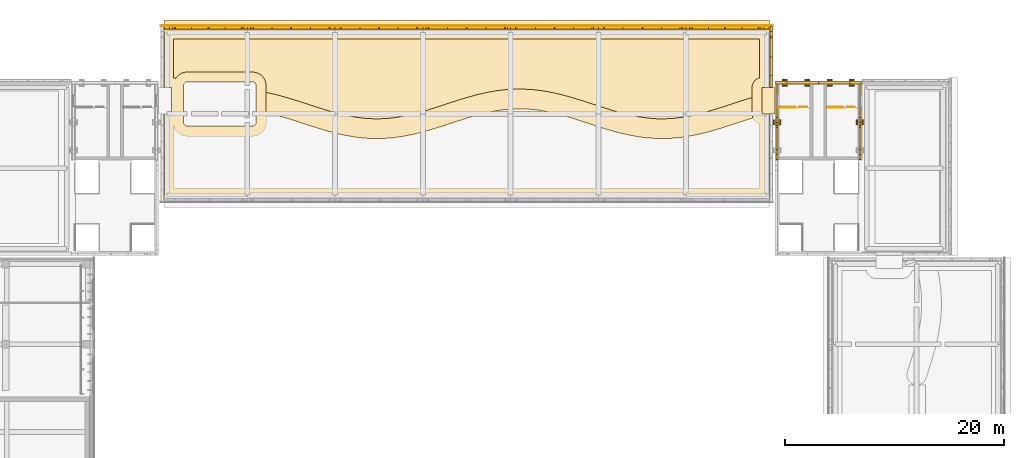
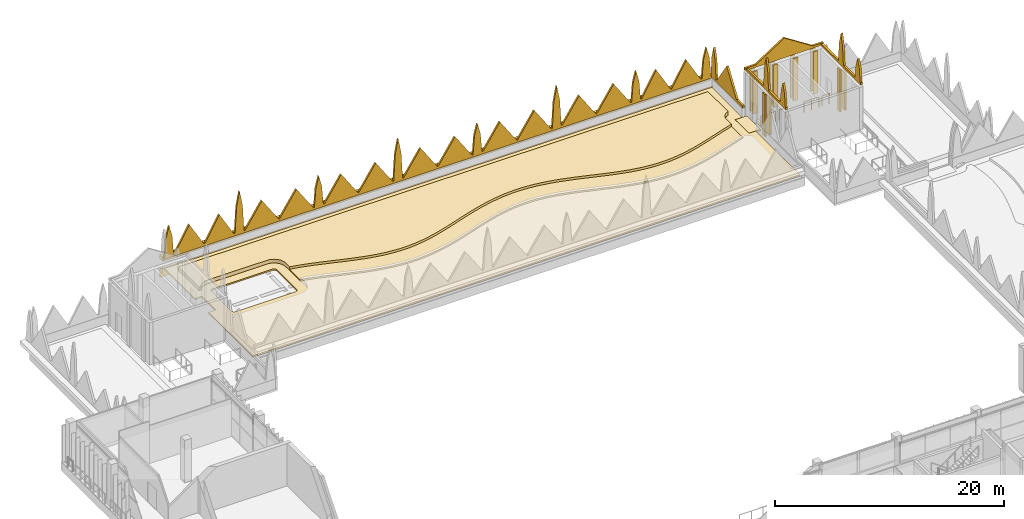
# One storey, part 45 of 46: 23 coverings, 4 railings.
"""IFC4 building model written with IfcOpenShell, lengths in metres."""

from ifc_helpers import new_model, si_unit, direction, frame, frame_2d, origin, origin_2d, place, context, subcontext, project, spatial, polyline, rectangle, circle, outline, extrude, material, layer, layer_set, type_object, element, save


model = new_model("IFC4")

# Units and contexts
model_context = context("Model", 3, precision=1e-05, world=origin(), true_north=direction((0.0, 1.0)))
body_context = subcontext(model_context, "Body", "Model", "MODEL_VIEW")
ifc_project = project(units=[si_unit("LENGTHUNIT", "METRE"), si_unit("AREAUNIT", "SQUARE_METRE"), si_unit("VOLUMEUNIT", "CUBIC_METRE"), si_unit("PLANEANGLEUNIT", "RADIAN"), si_unit("MASSUNIT", "GRAM", prefix="KILO")], contexts=[model_context])

# Site, building, storey
site_placement = place(None, origin())
site = spatial("IfcSite", under=ifc_project, at=site_placement, CompositionType="ELEMENT")
building_placement = place(site_placement, origin())
building = spatial("IfcBuilding", under=site, at=building_placement, Name="Lantern Court Media Centre", CompositionType="ELEMENT")
storey_placement = place(building_placement, frame((0.0, 0.0, 28.800048828125)))
storey = spatial("IfcBuildingStorey", under=building, at=storey_placement, Name="L06", CompositionType="ELEMENT", Elevation=28.800048828125)

# Railings
ifc_material_1 = material(Name="Powder-coated steel", Category="steel")
railing_type_1 = type_object("IfcRailingType", Name="Floor edge guard 1100", PredefinedType="GUARDRAIL", material=ifc_material_1)
railing_1_placement = place(storey_placement, frame((86.646240234375, 109.609619140625, 0.0)))
element("IfcRailing", 1, at=railing_1_placement, inside=storey, type_object=railing_type_1, Name="L06 opening guard 160", PredefinedType="GUARDRAIL", context=body_context, shape_type="SweptSolid", body=[
    extrude(circle(Radius=0.02392578125, at=origin_2d()), frame((0.0, 0.0, 1.076171875), z_axis=(1.0, 0.0, 0.0), x_axis=(0.0, 1.0, 0.0)), (0.0, 0.0, 1.0), 0.703857421875),
    extrude(circle(Radius=0.02099609375, at=origin_2d()), origin(), (0.0, 0.0, 1.0), 1.052001953125),
    extrude(circle(Radius=0.02099609375, at=origin_2d()), frame((0.703857421875, 0.0, 0.0)), (0.0, 0.0, 1.0), 1.052001953125),
])
railing_2_placement = place(storey_placement, frame((82.29638671875, 109.609619140625, 0.0)))
element("IfcRailing", 2, at=railing_2_placement, inside=storey, type_object=railing_type_1, Name="L06 opening guard 161", PredefinedType="GUARDRAIL", context=body_context, shape_type="SweptSolid", body=[
    extrude(circle(Radius=0.02392578125, at=origin_2d()), frame((0.0, 0.0, 1.076171875), z_axis=(1.0, 0.0, 0.0), x_axis=(0.0, 1.0, 0.0)), (0.0, 0.0, 1.0), 0.70361328125),
    extrude(circle(Radius=0.02099609375, at=origin_2d()), origin(), (0.0, 0.0, 1.0), 1.052001953125),
    extrude(circle(Radius=0.02099609375, at=origin_2d()), frame((0.70361328125, 0.0, 0.0)), (0.0, 0.0, 1.0), 1.052001953125),
])

# Coverings
ifc_material_2 = material(Name="White glass-fibre reinforced cement cladding", Category="concrete")
ifc_layer_1 = layer(ifc_material_2, 0.050048828125)
ifc_layer_set_1 = layer_set([ifc_layer_1], Name="White glass-fibre reinforced cement cladding")
covering_type_1 = type_object("IfcCoveringType", Name="Floor-edge band 50", PredefinedType="CLADDING", material=ifc_layer_set_1)
covering_1_placement = place(storey_placement, frame((24.10009765625, 117.02490234375, -0.900146484375), z_axis=(0.0, 0.0, 1.0), x_axis=(1.0, 0.0, 0.0)))
element("IfcCovering", 3, at=covering_1_placement, inside=storey, type_object=covering_type_1, Name="Floor-edge band N outer roof", PredefinedType="CLADDING", context=body_context, shape_type="SweptSolid", body=[
    extrude(rectangle(XDim=55.7998046875, YDim=0.050048828125, at=frame_2d((27.89990234375, 0.0))), origin(), (0.0, 0.0, 1.0), 0.900146484375),
])
ifc_material_3 = material(Name="Honed limestone cladding on blockwork", Category="masonry")
ifc_layer_2 = layer(ifc_material_3, 0.550048828125)
ifc_layer_set_2 = layer_set([ifc_layer_2], Name="Honed limestone cladding on blockwork")
covering_type_2 = type_object("IfcCoveringType", Name="Limestone cornice 550", PredefinedType="CLADDING", material=ifc_layer_set_2)
covering_2_placement = place(storey_placement, frame((24.39990234375, 117.27490234375, 0.699951171875), z_axis=(0.0, 0.0, 1.0), x_axis=(1.0, 0.0, 0.0)))
element("IfcCovering", 4, at=covering_2_placement, inside=storey, type_object=covering_type_2, Name="Attic cornice", PredefinedType="CLADDING", context=body_context, shape_type="SweptSolid", body=[
    extrude(rectangle(XDim=55.2001953125, YDim=0.550048828125, at=frame_2d((27.60009765625, 0.0))), origin(), (0.0, 0.0, 1.0), 0.39990234375),
])
ifc_layer_3 = layer(ifc_material_3, 0.199951171875)
ifc_layer_set_3 = layer_set([ifc_layer_3], Name="Honed limestone cladding on blockwork")
covering_type_3 = type_object("IfcCoveringType", Name="Limestone cresting 200", PredefinedType="CLADDING", material=ifc_layer_set_3)
covering_3_placement = place(storey_placement, frame((79.75, 111.39990234375, 1.099853515625), z_axis=(0.0, 0.0, 1.0), x_axis=(0.0, 1.0, 0.0)))
element("IfcCovering", 5, at=covering_3_placement, inside=storey, type_object=covering_type_3, Name="Parapet cresting", PredefinedType="CLADDING", context=body_context, shape_type="SweptSolid", body=[
    extrude(outline(polyline([(0.0, 0.0), (5.60009765625, 0.0), (5.60009765625, 0.25), (5.550048828125, 0.25), (5.39990234375, 2.210205078125), (5.10009765625, 3.400146484375), (4.800048828125, 2.210205078125), (4.64990234375, 0.25), (4.530029296875, 0.25), (2.800048828125, 2.800048828125), (1.070068359375, 0.25), (0.0, 0.25), (0.0, 0.0)])), frame((0.0, 0.10009765625, 0.0), z_axis=(0.0, -1.0, 0.0), x_axis=(1.0, 0.0, 0.0)), (0.0, 0.0, 1.0), 0.199951171875),
])
covering_4_placement = place(storey_placement, frame((24.39990234375, 116.85009765625, 1.099853515625), z_axis=(0.0, 0.0, 1.0), x_axis=(1.0, 0.0, 0.0)))
element("IfcCovering", 6, at=covering_4_placement, inside=storey, type_object=covering_type_3, Name="Parapet cresting", PredefinedType="CLADDING", context=body_context, shape_type="SweptSolid", body=[
    extrude(outline(polyline([(0.0, 0.0), (55.2001953125, 0.0), (55.199951171875, 0.25), (55.14990234375, 0.25), (55.0, 2.210205078125), (54.699951171875, 3.400146484375), (54.39990234375, 2.210205078125), (54.25, 0.25), (54.1298828125, 0.25), (52.6650390625, 2.800048828125), (51.199951171875, 0.25), (51.10009765625, 0.25), (49.635009765625, 2.800048828125), (48.169921875, 0.25), (48.050048828125, 0.25), (47.89990234375, 2.210205078125), (47.60009765625, 3.400146484375), (47.300048828125, 2.210205078125), (47.14990234375, 0.25), (47.030029296875, 0.25), (45.340087890625, 2.800048828125), (43.64990234375, 0.25), (43.550048828125, 0.25), (41.860107421875, 2.800048828125), (40.169921875, 0.25), (40.050048828125, 0.25), (39.89990234375, 2.983642578125), (39.60009765625, 4.590087890625), (39.300048828125, 2.983642578125), (39.14990234375, 0.25), (39.030029296875, 0.25), (37.340087890625, 2.800048828125), (35.64990234375, 0.25), (35.550048828125, 0.25), (33.860107421875, 2.800048828125), (32.169921875, 0.25), (32.050048828125, 0.25), (31.89990234375, 2.210205078125), (31.60009765625, 3.400146484375), (31.300048828125, 2.210205078125), (31.14990234375, 0.25), (31.030029296875, 0.25), (29.340087890625, 2.800048828125), (27.64990234375, 0.25), (27.550048828125, 0.25), (25.860107421875, 2.800048828125), (24.169921875, 0.25), (24.050048828125, 0.25), (23.89990234375, 2.983642578125), (23.60009765625, 4.590087890625), (23.300048828125, 2.983642578125), (23.14990234375, 0.25), (23.030029296875, 0.25), (21.340087890625, 2.800048828125), (19.64990234375, 0.25), (19.550048828125, 0.25), (17.860107421875, 2.800048828125), (16.169921875, 0.25), (16.050048828125, 0.25), (15.89990234375, 2.210205078125), (15.60009765625, 3.400146484375), (15.300048828125, 2.210205078125), (15.14990234375, 0.25), (15.030029296875, 0.25), (13.340087890625, 2.800048828125), (11.64990234375, 0.25), (11.550048828125, 0.25), (9.860107421875, 2.800048828125), (8.169921875, 0.25), (8.050048828125, 0.25), (7.89990234375, 2.983642578125), (7.60009765625, 4.590087890625), (7.300048828125, 2.983642578125), (7.14990234375, 0.25), (7.030029296875, 0.25), (5.56494140625, 2.800048828125), (4.10009765625, 0.25), (4.0, 0.25), (2.534912109375, 2.800048828125), (1.070068359375, 0.25), (0.949951171875, 0.25), (0.800048828125, 2.210205078125), (0.5, 3.400146484375), (0.199951171875, 2.210205078125), (0.050048828125, 0.25), (0.0, 0.25), (0.0, 0.0)])), frame((0.0, 0.10009765625, 0.0), z_axis=(0.0, -1.0, 0.0), x_axis=(1.0, 0.0, 0.0)), (0.0, 0.0, 1.0), 0.199951171875),
])
covering_5_placement = place(storey_placement, frame((88.0, 111.824951171875, 4.75), z_axis=(0.0, 0.0, 1.0), x_axis=(-1.0, 0.0, 0.0)))
element("IfcCovering", 7, at=covering_5_placement, inside=storey, type_object=covering_type_3, Name="Roof box cresting", PredefinedType="CLADDING", context=body_context, shape_type="SweptSolid", body=[
    extrude(outline(polyline([(0.0, 0.0), (7.89990234375, 0.0), (7.89990234375, 0.25), (6.830078125, 0.25), (3.949951171875, 2.099853515625), (1.070068359375, 0.25), (0.0, 0.25), (0.0, 0.0)])), frame((0.0, 0.10009765625, 0.0), z_axis=(0.0, -1.0, 0.0), x_axis=(1.0, 0.0, 0.0)), (0.0, 0.0, 1.0), 0.199951171875),
])
for number, where, z_axis, x_axis, name in (
    (8, (87.824951171875, 111.64990234375, 4.75), (0.0, 0.0, 1.0), (0.0, -1.0, 0.0), "Roof box cresting"),
    (9, (80.27490234375, 111.64990234375, 4.75), (0.0, 0.0, 1.0), (0.0, -1.0, 0.0), "Roof box cresting"),
):
    element("IfcCovering", number, at=place(storey_placement, frame(where, z_axis=z_axis, x_axis=x_axis)), inside=storey, type_object=covering_type_3, Name=name, PredefinedType="CLADDING", context=body_context, shape_type="SweptSolid", body=[
        extrude(outline(polyline([(0.0, 0.0), (6.849853515625, 0.0), (6.85009765625, 0.25), (6.800048828125, 0.25), (6.64990234375, 1.657470703125), (6.35009765625, 2.550048828125), (6.050048828125, 1.657470703125), (5.89990234375, 0.25), (3.875, 0.25), (3.72509765625, 2.237548828125), (3.425048828125, 3.4423828125), (3.125, 2.237548828125), (2.97509765625, 0.25), (0.0, 0.25), (0.0, 0.0)])), frame((0.0, 0.10009765625, 0.0), z_axis=(0.0, -1.0, 0.0), x_axis=(1.0, 0.0, 0.0)), (0.0, 0.0, 1.0), 0.199951171875),
    ])
ifc_material_4 = material(Name="Honed limestone cladding", Category="masonry")
ifc_layer_4 = layer(ifc_material_4, 0.14990234375)
ifc_layer_set_4 = layer_set([ifc_layer_4], Name="Honed limestone cladding")
covering_type_4 = type_object("IfcCoveringType", Name="Limestone pilaster cladding 150", PredefinedType="CLADDING", material=ifc_layer_set_4)
covering_6_placement = place(storey_placement, frame((87.324951171875, 111.574951171875, 0.0), z_axis=(0.0, 0.0, 1.0), x_axis=(-1.0, 0.0, 0.0)))
element("IfcCovering", 10, at=covering_6_placement, inside=storey, type_object=covering_type_4, Name="Limestone pilaster rib", PredefinedType="CLADDING", context=body_context, shape_type="SweptSolid", body=[
    extrude(rectangle(XDim=0.449951171875, YDim=0.14990234375, at=frame_2d((0.22509765625, 0.0))), origin(), (0.0, 0.0, 1.0), 4.5),
])
covering_7_placement = place(storey_placement, frame((85.291748046875, 111.574951171875, 0.0), z_axis=(0.0, 0.0, 1.0), x_axis=(-1.0, 0.0, 0.0)))
element("IfcCovering", 11, at=covering_7_placement, inside=storey, type_object=covering_type_4, Name="Limestone pilaster rib", PredefinedType="CLADDING", context=body_context, shape_type="SweptSolid", body=[
    extrude(rectangle(XDim=0.4501953125, YDim=0.14990234375, at=frame_2d((0.22509765625, 0.0))), origin(), (0.0, 0.0, 1.0), 4.5),
])
covering_8_placement = place(storey_placement, frame((83.25830078125, 111.574951171875, 0.0), z_axis=(0.0, 0.0, 1.0), x_axis=(-1.0, 0.0, 0.0)))
element("IfcCovering", 12, at=covering_8_placement, inside=storey, type_object=covering_type_4, Name="Limestone pilaster rib", PredefinedType="CLADDING", context=body_context, shape_type="SweptSolid", body=[
    extrude(rectangle(XDim=0.449951171875, YDim=0.14990234375, at=frame_2d((0.22509765625, 0.0))), origin(), (0.0, 0.0, 1.0), 4.5),
])
covering_9_placement = place(storey_placement, frame((81.22509765625, 111.574951171875, 0.0), z_axis=(0.0, 0.0, 1.0), x_axis=(-1.0, 0.0, 0.0)))
element("IfcCovering", 13, at=covering_9_placement, inside=storey, type_object=covering_type_4, Name="Limestone pilaster rib", PredefinedType="CLADDING", context=body_context, shape_type="SweptSolid", body=[
    extrude(rectangle(XDim=0.4501953125, YDim=0.14990234375, at=frame_2d((0.22509765625, 0.0))), origin(), (0.0, 0.0, 1.0), 4.5),
])
covering_10_placement = place(storey_placement, frame((87.324951171875, 112.074951171875, 0.0), z_axis=(0.0, 0.0, 1.0), x_axis=(-1.0, 0.0, 0.0)))
element("IfcCovering", 14, at=covering_10_placement, inside=storey, type_object=covering_type_4, Name="Limestone pilaster rib", PredefinedType="CLADDING", context=body_context, shape_type="SweptSolid", body=[
    extrude(rectangle(XDim=0.449951171875, YDim=0.14990234375, at=frame_2d((0.22509765625, 0.0))), origin(), (0.0, 0.0, 1.0), 4.5),
])
covering_11_placement = place(storey_placement, frame((85.291748046875, 112.074951171875, 0.0), z_axis=(0.0, 0.0, 1.0), x_axis=(-1.0, 0.0, 0.0)))
element("IfcCovering", 15, at=covering_11_placement, inside=storey, type_object=covering_type_4, Name="Limestone pilaster rib", PredefinedType="CLADDING", context=body_context, shape_type="SweptSolid", body=[
    extrude(rectangle(XDim=0.4501953125, YDim=0.14990234375, at=frame_2d((0.22509765625, 0.0))), origin(), (0.0, 0.0, 1.0), 4.5),
])
covering_12_placement = place(storey_placement, frame((83.25830078125, 112.074951171875, 0.0), z_axis=(0.0, 0.0, 1.0), x_axis=(-1.0, 0.0, 0.0)))
element("IfcCovering", 16, at=covering_12_placement, inside=storey, type_object=covering_type_4, Name="Limestone pilaster rib", PredefinedType="CLADDING", context=body_context, shape_type="SweptSolid", body=[
    extrude(rectangle(XDim=0.449951171875, YDim=0.14990234375, at=frame_2d((0.22509765625, 0.0))), origin(), (0.0, 0.0, 1.0), 4.5),
])
covering_13_placement = place(storey_placement, frame((81.22509765625, 112.074951171875, 0.0), z_axis=(0.0, 0.0, 1.0), x_axis=(-1.0, 0.0, 0.0)))
element("IfcCovering", 17, at=covering_13_placement, inside=storey, type_object=covering_type_4, Name="Limestone pilaster rib", PredefinedType="CLADDING", context=body_context, shape_type="SweptSolid", body=[
    extrude(rectangle(XDim=0.4501953125, YDim=0.14990234375, at=frame_2d((0.22509765625, 0.0))), origin(), (0.0, 0.0, 1.0), 4.5),
])
for number, where, z_axis, x_axis, name in (
    (18, (88.074951171875, 108.449951171875, 0.0), (0.0, 0.0, 1.0), (0.0, -1.0, 0.0), "Limestone pilaster rib"),
    (19, (87.574951171875, 108.449951171875, 0.0), (0.0, 0.0, 1.0), (0.0, -1.0, 0.0), "Limestone pilaster rib"),
    (20, (80.52490234375, 108.449951171875, 0.0), (0.0, 0.0, 1.0), (0.0, -1.0, 0.0), "Limestone pilaster rib"),
    (21, (80.02490234375, 108.449951171875, 0.0), (0.0, 0.0, 1.0), (0.0, -1.0, 0.0), "Limestone pilaster rib"),
):
    element("IfcCovering", number, at=place(storey_placement, frame(where, z_axis=z_axis, x_axis=x_axis)), inside=storey, type_object=covering_type_4, Name=name, PredefinedType="CLADDING", context=body_context, shape_type="SweptSolid", body=[
        extrude(rectangle(XDim=0.449951171875, YDim=0.14990234375, at=frame_2d((0.22509765625, 0.0))), origin(), (0.0, 0.0, 1.0), 4.5),
    ])
ifc_material_5 = material(Name="Planting substrate")
ifc_layer_5 = layer(ifc_material_5, 0.39990234375)
ifc_layer_set_5 = layer_set([ifc_layer_5], Name="Planting substrate")
covering_type_5 = type_object("IfcCoveringType", Name="Planted roof garden build-up 400", PredefinedType="ROOFING", material=ifc_layer_set_5)
covering_14_placement = place(storey_placement, frame((0.0, 0.0, 0.14990234375)))
element("IfcCovering", 22, at=covering_14_placement, inside=storey, type_object=covering_type_5, Name="Planted roof garden N", PredefinedType="ROOFING", context=body_context, shape_type="SweptSolid", body=[
    extrude(outline(polyline([(25.361083984375, 112.260986328125), (25.300048828125, 112.277099609375), (25.300048828125, 115.800048828125), (78.699951171875, 115.800048828125), (78.699951171875, 112.277099609375), (78.638916015625, 112.260986328125), (78.555908203125, 112.23095703125), (78.47607421875, 112.194091796875), (78.39990234375, 112.14794921875), (78.3291015625, 112.095947265625), (78.263916015625, 112.035888671875), (78.2041015625, 111.970947265625), (78.152099609375, 111.89990234375), (78.10595703125, 111.823974609375), (78.069091796875, 111.743896484375), (78.0390625, 111.660888671875), (78.01708984375, 111.575927734375), (78.00390625, 111.488037109375), (78.0, 111.39990234375), (78.0, 110.47998046875), (77.84912109375, 110.43701171875), (77.827880859375, 110.430908203125), (77.02490234375, 110.181884765625), (77.012939453125, 110.178955078125), (76.2099609375, 109.91796875), (76.2080078125, 109.9169921875), (75.408935546875, 109.655029296875), (74.617919921875, 109.403076171875), (73.8369140625, 109.1708984375), (73.06396484375, 108.967041015625), (72.300048828125, 108.798095703125), (71.5439453125, 108.66796875), (70.79296875, 108.58203125), (70.0458984375, 108.54296875), (69.300048828125, 108.551025390625), (68.552001953125, 108.60595703125), (67.800048828125, 108.70703125), (67.041015625, 108.85107421875), (66.27490234375, 109.032958984375), (65.4990234375, 109.2470703125), (64.715087890625, 109.487060546875), (63.9208984375, 109.743896484375), (63.1201171875, 110.006103515625), (63.114013671875, 110.008056640625), (62.31103515625, 110.26611328125), (62.2958984375, 110.27099609375), (61.492919921875, 110.512939453125), (61.468994140625, 110.52001953125), (60.666015625, 110.738037109375), (60.633056640625, 110.74609375), (59.830078125, 110.931884765625), (59.7880859375, 110.93994140625), (58.985107421875, 111.0859375), (58.93701171875, 111.093017578125), (58.134033203125, 111.194091796875), (58.080078125, 111.198974609375), (57.277099609375, 111.2509765625), (57.219970703125, 111.2529296875), (56.4169921875, 111.25390625), (56.360107421875, 111.251953125), (55.556884765625, 111.202880859375), (55.5029296875, 111.197998046875), (54.699951171875, 111.09912109375), (54.65087890625, 111.092041015625), (53.847900390625, 110.947998046875), (53.805908203125, 110.93896484375), (53.00390625, 110.7548828125), (52.969970703125, 110.7470703125), (52.1669921875, 110.530029296875), (52.14208984375, 110.52294921875), (51.339111328125, 110.281982421875), (51.323974609375, 110.277099609375), (50.52099609375, 110.02001953125), (50.514892578125, 110.01806640625), (49.714111328125, 109.7548828125), (48.919921875, 109.498046875), (48.134033203125, 109.257080078125), (47.35888671875, 109.0419921875), (46.592041015625, 108.85791015625), (45.8330078125, 108.712890625), (45.080078125, 108.610107421875), (44.33203125, 108.552978515625), (43.5859375, 108.5419921875), (42.839111328125, 108.580078125), (42.089111328125, 108.6630859375), (41.3330078125, 108.791015625), (40.569091796875, 108.958984375), (39.797119140625, 109.162109375), (39.01611328125, 109.39306640625), (38.22607421875, 109.64404296875), (37.427001953125, 109.906005859375), (37.425048828125, 109.906005859375), (36.6220703125, 110.1669921875), (36.610107421875, 110.1708984375), (35.80810546875, 110.419921875), (35.787109375, 110.427001953125), (34.98388671875, 110.655029296875), (34.9541015625, 110.6630859375), (34.15087890625, 110.862060546875), (34.112060546875, 110.8701171875), (33.699951171875, 110.952880859375), (33.699951171875, 111.60009765625), (33.698974609375, 111.64404296875), (33.697021484375, 111.674072265625), (33.68896484375, 111.760986328125), (33.68408203125, 111.791015625), (33.6669921875, 111.876953125), (33.659912109375, 111.906005859375), (33.634033203125, 111.989990234375), (33.625, 112.01806640625), (33.591064453125, 112.10009765625), (33.577880859375, 112.1259765625), (33.537109375, 112.2041015625), (33.52099609375, 112.22900390625), (33.471923828125, 112.302978515625), (33.455078125, 112.325927734375), (33.39892578125, 112.39501953125), (33.37890625, 112.4169921875), (33.31689453125, 112.47900390625), (33.294921875, 112.4990234375), (33.22607421875, 112.554931640625), (33.202880859375, 112.572021484375), (33.12890625, 112.62109375), (33.10400390625, 112.636962890625), (33.02587890625, 112.677978515625), (33.0, 112.69091796875), (32.91796875, 112.72509765625), (32.889892578125, 112.73388671875), (32.805908203125, 112.760009765625), (32.777099609375, 112.76708984375), (32.69091796875, 112.783935546875), (32.660888671875, 112.7890625), (32.573974609375, 112.797119140625), (32.5439453125, 112.799072265625), (32.5, 112.800048828125), (26.5, 112.800048828125), (26.4560546875, 112.799072265625), (26.426025390625, 112.797119140625), (26.339111328125, 112.7890625), (26.30908203125, 112.783935546875), (26.222900390625, 112.76708984375), (26.194091796875, 112.760009765625), (26.110107421875, 112.73388671875), (26.08203125, 112.72509765625), (26.0, 112.69091796875), (25.97412109375, 112.677978515625), (25.89599609375, 112.636962890625), (25.87109375, 112.62109375), (25.797119140625, 112.572021484375), (25.77392578125, 112.554931640625), (25.705078125, 112.4990234375), (25.68310546875, 112.47900390625), (25.62109375, 112.4169921875), (25.60107421875, 112.39501953125), (25.544921875, 112.325927734375), (25.528076171875, 112.302978515625), (25.470947265625, 112.218994140625), (25.444091796875, 112.23095703125), (25.361083984375, 112.260986328125)])), origin(), (0.0, 0.0, 1.0), 0.400146484375),
])
ifc_material_6 = material(Name="Limestone paving slab", Category="masonry")
ifc_layer_6 = layer(ifc_material_6, 0.14990234375)
ifc_layer_set_6 = layer_set([ifc_layer_6], Name="Limestone paving slab")
covering_type_6 = type_object("IfcCoveringType", Name="Roof walkway pavers 150", PredefinedType="FLOORING", material=ifc_layer_set_6)
covering_15_placement = place(storey_placement, frame((0.0, 0.0, 0.14990234375)))
element("IfcCovering", 23, at=covering_15_placement, inside=storey, type_object=covering_type_6, Name="Roof garden path N", PredefinedType="FLOORING", context=body_context, shape_type="SweptSolid", body=[
    extrude(outline(polyline([(34.15087890625, 110.862060546875), (34.9541015625, 110.6630859375), (34.98388671875, 110.655029296875), (35.787109375, 110.427001953125), (35.80810546875, 110.419921875), (36.610107421875, 110.1708984375), (36.6220703125, 110.1669921875), (37.425048828125, 109.906005859375), (37.427001953125, 109.906005859375), (38.22607421875, 109.64404296875), (39.01611328125, 109.39306640625), (39.797119140625, 109.162109375), (40.569091796875, 108.958984375), (41.3330078125, 108.791015625), (42.089111328125, 108.6630859375), (42.839111328125, 108.580078125), (43.5859375, 108.5419921875), (44.33203125, 108.552978515625), (45.080078125, 108.610107421875), (45.8330078125, 108.712890625), (46.592041015625, 108.85791015625), (47.35888671875, 109.0419921875), (48.134033203125, 109.257080078125), (48.919921875, 109.498046875), (49.714111328125, 109.7548828125), (50.514892578125, 110.01806640625), (50.52099609375, 110.02001953125), (51.323974609375, 110.277099609375), (51.339111328125, 110.281982421875), (52.14208984375, 110.52294921875), (52.1669921875, 110.530029296875), (52.969970703125, 110.7470703125), (53.00390625, 110.7548828125), (53.805908203125, 110.93896484375), (53.847900390625, 110.947998046875), (54.65087890625, 111.092041015625), (54.699951171875, 111.09912109375), (55.5029296875, 111.197998046875), (55.556884765625, 111.202880859375), (56.360107421875, 111.251953125), (56.4169921875, 111.25390625), (57.219970703125, 111.2529296875), (57.277099609375, 111.2509765625), (58.080078125, 111.198974609375), (58.134033203125, 111.194091796875), (58.93701171875, 111.093017578125), (58.985107421875, 111.0859375), (59.7880859375, 110.93994140625), (59.830078125, 110.931884765625), (60.633056640625, 110.74609375), (60.666015625, 110.738037109375), (61.468994140625, 110.52001953125), (61.492919921875, 110.512939453125), (62.2958984375, 110.27099609375), (62.31103515625, 110.26611328125), (63.114013671875, 110.008056640625), (63.1201171875, 110.006103515625), (63.9208984375, 109.743896484375), (64.715087890625, 109.487060546875), (65.4990234375, 109.2470703125), (66.27490234375, 109.032958984375), (67.041015625, 108.85107421875), (67.800048828125, 108.70703125), (68.552001953125, 108.60595703125), (69.300048828125, 108.551025390625), (70.0458984375, 108.54296875), (70.79296875, 108.58203125), (71.5439453125, 108.66796875), (72.300048828125, 108.798095703125), (73.06396484375, 108.967041015625), (73.8369140625, 109.1708984375), (74.617919921875, 109.403076171875), (75.408935546875, 109.655029296875), (76.2080078125, 109.9169921875), (76.2099609375, 109.91796875), (77.012939453125, 110.178955078125), (77.02490234375, 110.181884765625), (77.827880859375, 110.430908203125), (77.84912109375, 110.43701171875), (78.0, 110.47998046875), (78.0, 109.0), (78.00390625, 108.912109375), (78.01708984375, 108.823974609375), (78.0390625, 108.739013671875), (78.069091796875, 108.656005859375), (78.0830078125, 108.6259765625), (77.56298828125, 108.465087890625), (76.76806640625, 108.2060546875), (75.966064453125, 107.944091796875), (75.9580078125, 107.94091796875), (75.156005859375, 107.68603515625), (75.138916015625, 107.679931640625), (74.3359375, 107.44189453125), (74.31005859375, 107.43505859375), (73.507080078125, 107.221923828125), (73.471923828125, 107.214111328125), (72.6689453125, 107.035888671875), (72.6259765625, 107.027099609375), (71.822998046875, 106.889892578125), (71.77294921875, 106.882080078125), (70.969970703125, 106.791015625), (70.9150390625, 106.785888671875), (70.113037109375, 106.743896484375), (70.054931640625, 106.742919921875), (69.2529296875, 106.751953125), (69.196044921875, 106.75390625), (68.39306640625, 106.81298828125), (68.340087890625, 106.819091796875), (67.537109375, 106.926025390625), (67.489013671875, 106.93408203125), (66.68603515625, 107.0859375), (66.64599609375, 107.094970703125), (65.843017578125, 107.284912109375), (65.81103515625, 107.2939453125), (65.008056640625, 107.51611328125), (64.985107421875, 107.52197265625), (64.181884765625, 107.76806640625), (64.16796875, 107.77197265625), (63.365966796875, 108.031005859375), (63.361083984375, 108.032958984375), (62.56103515625, 108.294921875), (61.76904296875, 108.550048828125), (60.985107421875, 108.785888671875), (60.2109375, 108.99609375), (59.446044921875, 109.173095703125), (58.68798828125, 109.31103515625), (57.93701171875, 109.405029296875), (57.18896484375, 109.452880859375), (56.443115234375, 109.4541015625), (55.696044921875, 109.407958984375), (54.945068359375, 109.31591796875), (54.18701171875, 109.179931640625), (53.422119140625, 109.0048828125), (52.64794921875, 108.7958984375), (51.865966796875, 108.56005859375), (51.072998046875, 108.305908203125), (50.27294921875, 108.0439453125), (50.27001953125, 108.04296875), (49.467041015625, 107.782958984375), (49.4541015625, 107.779052734375), (48.65087890625, 107.532958984375), (48.6279296875, 107.52587890625), (47.824951171875, 107.302978515625), (47.7939453125, 107.294921875), (46.990966796875, 107.10302734375), (46.949951171875, 107.093994140625), (46.14794921875, 106.93994140625), (46.10009765625, 106.931884765625), (45.297119140625, 106.822998046875), (45.243896484375, 106.81689453125), (44.44091796875, 106.756103515625), (44.385009765625, 106.7529296875), (43.58203125, 106.741943359375), (43.52490234375, 106.742919921875), (42.721923828125, 106.782958984375), (42.6669921875, 106.7880859375), (41.864013671875, 106.876953125), (41.81396484375, 106.884033203125), (41.010986328125, 107.02001953125), (40.967041015625, 107.028076171875), (40.1650390625, 107.205078125), (40.12890625, 107.214111328125), (39.325927734375, 107.425048828125), (39.300048828125, 107.431884765625), (38.4970703125, 107.6689453125), (38.47998046875, 107.675048828125), (37.677001953125, 107.929931640625), (37.6689453125, 107.931884765625), (36.866943359375, 108.195068359375), (36.071044921875, 108.4541015625), (35.283935546875, 108.697998046875), (34.506103515625, 108.9189453125), (33.738037109375, 109.110107421875), (33.699951171875, 109.116943359375), (33.699951171875, 110.952880859375), (34.112060546875, 110.8701171875), (34.15087890625, 110.862060546875)])), origin(), (0.0, 0.0, 1.0), 0.150146484375),
])
covering_16_placement = place(storey_placement, origin())
element("IfcCovering", 24, at=covering_16_placement, inside=storey, type_object=covering_type_6, Name="Roof walkway N-NE", PredefinedType="FLOORING", context=body_context, shape_type="SweptSolid", body=[
    extrude(outline(polyline([(78.89990234375, 109.0), (78.89990234375, 111.39990234375), (80.10009765625, 111.39990234375), (80.10009765625, 109.0), (78.89990234375, 109.0)])), origin(), (0.0, 0.0, 1.0), 0.14990234375),
])
ifc_material_7 = material(Name="Bituminous waterproofing membrane with insulation")
ifc_layer_7 = layer(ifc_material_7, 0.14990234375)
ifc_layer_set_7 = layer_set([ifc_layer_7], Name="Bituminous waterproofing membrane with insulation")
covering_type_7 = type_object("IfcCoveringType", Name="Roof waterproofing and insulation 150", PredefinedType="ROOFING", material=ifc_layer_set_7)
covering_17_placement = place(storey_placement, origin())
element("IfcCovering", 25, at=covering_17_placement, inside=storey, type_object=covering_type_7, Name="Roof waterproofing N", PredefinedType="ROOFING", context=body_context, shape_type="SweptSolid", body=[
    extrude(outline(polyline([(25.10009765625, 109.0), (25.10009765625, 111.39990234375), (24.39990234375, 111.39990234375), (24.39990234375, 116.699951171875), (79.60009765625, 116.699951171875), (79.60009765625, 111.39990234375), (78.89990234375, 111.39990234375), (78.89990234375, 109.0), (79.60009765625, 109.0), (79.60009765625, 101.300048828125), (24.39990234375, 101.300048828125), (24.39990234375, 109.0), (25.10009765625, 109.0)]), holes=[polyline([(32.5869140625, 107.9130859375), (32.614990234375, 107.923095703125), (32.64111328125, 107.93505859375), (32.6669921875, 107.950927734375), (32.68994140625, 107.968017578125), (32.7119140625, 107.988037109375), (32.73193359375, 108.010009765625), (32.7490234375, 108.032958984375), (32.764892578125, 108.05908203125), (32.777099609375, 108.0849609375), (32.787109375, 108.113037109375), (32.7939453125, 108.14111328125), (32.799072265625, 108.1708984375), (32.800048828125, 108.199951171875), (32.800048828125, 111.60009765625), (32.799072265625, 111.62890625), (32.7939453125, 111.658935546875), (32.787109375, 111.68701171875), (32.777099609375, 111.715087890625), (32.764892578125, 111.740966796875), (32.7490234375, 111.76708984375), (32.73193359375, 111.7900390625), (32.7119140625, 111.81201171875), (32.68994140625, 111.83203125), (32.6669921875, 111.84912109375), (32.64111328125, 111.864990234375), (32.614990234375, 111.876953125), (32.5869140625, 111.886962890625), (32.55908203125, 111.89404296875), (32.529052734375, 111.89892578125), (32.5, 111.89990234375), (26.5, 111.89990234375), (26.470947265625, 111.89892578125), (26.44091796875, 111.89404296875), (26.4130859375, 111.886962890625), (26.385009765625, 111.876953125), (26.35888671875, 111.864990234375), (26.3330078125, 111.84912109375), (26.31005859375, 111.83203125), (26.2880859375, 111.81201171875), (26.26806640625, 111.7900390625), (26.2509765625, 111.76708984375), (26.235107421875, 111.740966796875), (26.222900390625, 111.715087890625), (26.212890625, 111.68701171875), (26.2060546875, 111.658935546875), (26.200927734375, 111.62890625), (26.199951171875, 111.60009765625), (26.199951171875, 108.199951171875), (26.200927734375, 108.1708984375), (26.2060546875, 108.14111328125), (26.212890625, 108.113037109375), (26.222900390625, 108.0849609375), (26.235107421875, 108.05908203125), (26.2509765625, 108.032958984375), (26.26806640625, 108.010009765625), (26.2880859375, 107.988037109375), (26.31005859375, 107.968017578125), (26.3330078125, 107.950927734375), (26.35888671875, 107.93505859375), (26.385009765625, 107.923095703125), (26.4130859375, 107.9130859375), (26.44091796875, 107.906005859375), (26.470947265625, 107.90087890625), (26.5, 107.89990234375), (32.5, 107.89990234375), (32.529052734375, 107.90087890625), (32.55908203125, 107.906005859375), (32.5869140625, 107.9130859375)])]), origin(), (0.0, 0.0, 1.0), 0.14990234375),
])

# Railings
railing_type_2 = type_object("IfcRailingType", Name="Stair guard 1100", PredefinedType="GUARDRAIL", material=ifc_material_1)
for number, where, name in (
    (26, (84.800048828125, 109.60009765625, 0.0), "L06 ST-NEA top well guard 1"),
    (27, (80.449951171875, 109.60009765625, 0.0), "L06 ST-NEB top well guard 1"),
):
    element("IfcRailing", number, at=place(storey_placement, frame(where)), inside=storey, type_object=railing_type_2, Name=name, PredefinedType="GUARDRAIL", context=body_context, shape_type="SweptSolid", body=[
        extrude(circle(Radius=0.02392578125, at=origin_2d()), frame((0.0, 0.0, 1.076171875), z_axis=(1.0, 0.0, 0.0), x_axis=(0.0, 1.0, 0.0)), (0.0, 0.0, 1.0), 1.5),
        extrude(circle(Radius=0.02099609375, at=origin_2d()), origin(), (0.0, 0.0, 1.0), 1.052001953125),
        extrude(circle(Radius=0.02099609375, at=origin_2d()), frame((0.75, 0.0, 0.0)), (0.0, 0.0, 1.0), 1.052001953125),
        extrude(circle(Radius=0.02099609375, at=origin_2d()), frame((1.5, 0.0, 0.0)), (0.0, 0.0, 1.0), 1.052001953125),
    ])

save(model, "model.ifc")
